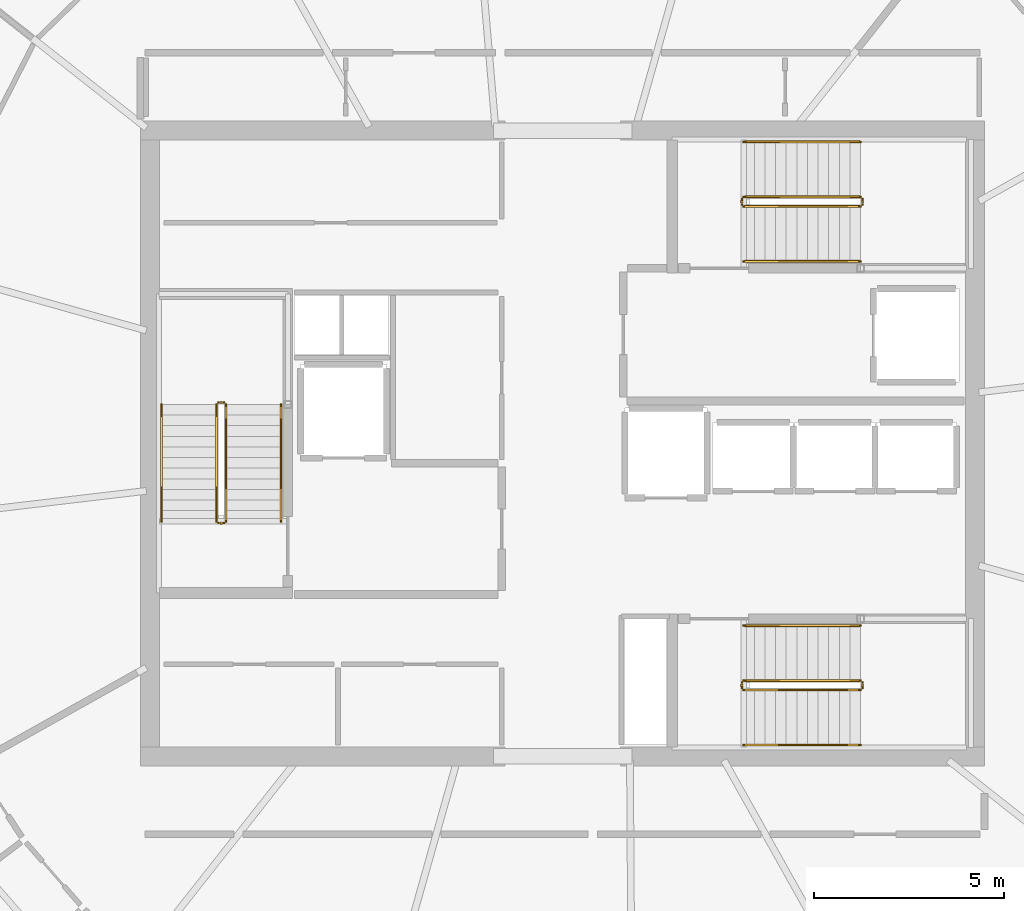
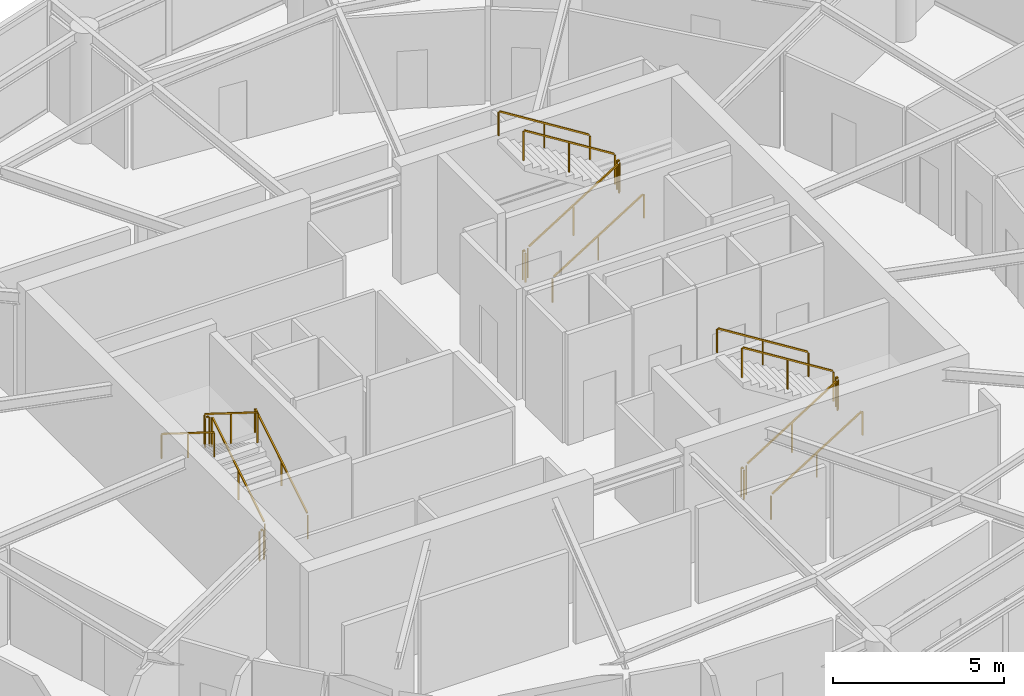
# One storey, part 16 of 16: 18 railings.
"""IFC4 building model written with IfcOpenShell, lengths in metres."""

from ifc_helpers import new_model, si_unit, direction, frame, origin, origin_2d, place, context, subcontext, project, spatial, rectangle, extrude, material, type_object, element, save


model = new_model("IFC4")

# Units and contexts
model_context = context("Model", 3, precision=1e-05, world=origin(), true_north=direction((0.0, 1.0)))
body_context = subcontext(model_context, "Body", "Model", "MODEL_VIEW")
ifc_project = project(units=[si_unit("LENGTHUNIT", "METRE"), si_unit("AREAUNIT", "SQUARE_METRE"), si_unit("VOLUMEUNIT", "CUBIC_METRE"), si_unit("PLANEANGLEUNIT", "RADIAN"), si_unit("MASSUNIT", "GRAM", prefix="KILO")], contexts=[model_context])

# Site, building, storey
site_placement = place(None, origin())
site = spatial("IfcSite", under=ifc_project, at=site_placement, CompositionType="ELEMENT")
building_placement = place(site_placement, origin())
building = spatial("IfcBuilding", under=site, at=building_placement, Name="Kazma Halo Residences", CompositionType="ELEMENT")
storey_placement = place(building_placement, frame((0.0, 0.0, 313.699951171875)))
storey = spatial("IfcBuildingStorey", under=building, at=storey_placement, Name="L79", CompositionType="ELEMENT", Elevation=313.699951171875)

# Railings
ifc_material_1 = material(Name="Painted Steel S355", Category="steel")
railing_type_1 = type_object("IfcRailingType", Name="RLG-STAIR-GRD-1100", PredefinedType="GUARDRAIL", material=ifc_material_1)
railing_1_placement = place(storey_placement, frame((39.550048828125, 39.949951171875, 0.175048828125)))
element("IfcRailing", 1, at=railing_1_placement, inside=storey, type_object=railing_type_1, Name="L79 ST-01 stair guard 1", PredefinedType="GUARDRAIL", context=body_context, shape_type="SweptSolid", body=[
    extrude(rectangle(XDim=0.050048828125, YDim=0.050048828125, at=origin_2d()), frame((0.0, 0.0361328125, 1.09765625), z_axis=(0.0, 0.847998304005, 0.529998940003), x_axis=(-1.0, 0.0, 0.0)), (0.0, 0.0, 1.0), 3.547119140625),
    extrude(rectangle(XDim=0.0400390625, YDim=0.0400390625, at=origin_2d()), origin(), (0.0, 0.0, 1.0), 1.0380859375),
    extrude(rectangle(XDim=0.0400390625, YDim=0.0400390625, at=origin_2d()), frame((0.0, 1.5400390625, 0.96240234375)), (0.0, 0.0, 1.0), 1.0380859375),
    extrude(rectangle(XDim=0.0400390625, YDim=0.0400390625, at=origin_2d()), frame((0.0, 3.080078125, 1.925048828125)), (0.0, 0.0, 1.0), 1.0380859375),
])
railing_2_placement = place(storey_placement, frame((39.5, 43.080078125, 2.10009765625)))
element("IfcRailing", 2, at=railing_2_placement, inside=storey, type_object=railing_type_1, Name="L79 ST-01 stair guard 2", PredefinedType="GUARDRAIL", context=body_context, shape_type="SweptSolid", body=[
    extrude(rectangle(XDim=0.050048828125, YDim=0.050048828125, at=origin_2d()), frame((-0.04248046875, 0.0, 1.0751953125), z_axis=(-1.0, 0.0, 0.0), x_axis=(0.0, -1.0, 0.0)), (0.0, 0.0, 1.0), 0.06494140625),
    extrude(rectangle(XDim=0.0400390625, YDim=0.0400390625, at=origin_2d()), origin(), (0.0, 0.0, 1.0), 1.0380859375),
    extrude(rectangle(XDim=0.0400390625, YDim=0.0400390625, at=origin_2d()), frame((-0.14990234375, 0.0, 0.0)), (0.0, 0.0, 1.0), 1.0380859375),
])
railing_3_placement = place(storey_placement, frame((39.300048828125, 43.030029296875, 2.275146484375)))
element("IfcRailing", 3, at=railing_3_placement, inside=storey, type_object=railing_type_1, Name="L79 ST-01 stair guard 3", PredefinedType="GUARDRAIL", context=body_context, shape_type="SweptSolid", body=[
    extrude(rectangle(XDim=0.050048828125, YDim=0.050048828125, at=origin_2d()), frame((0.0, -0.0361328125, 1.09765625), z_axis=(0.0, -0.848028513186, 0.529950602248), x_axis=(1.0, 0.0, 0.0)), (0.0, 0.0, 1.0), 3.546875),
    extrude(rectangle(XDim=0.0400390625, YDim=0.0400390625, at=origin_2d()), origin(), (0.0, 0.0, 1.0), 1.0380859375),
    extrude(rectangle(XDim=0.0400390625, YDim=0.0400390625, at=origin_2d()), frame((0.0, -1.5400390625, 0.96240234375)), (0.0, 0.0, 1.0), 1.0380859375),
    extrude(rectangle(XDim=0.0400390625, YDim=0.0400390625, at=origin_2d()), frame((0.0, -3.080078125, 1.9248046875)), (0.0, 0.0, 1.0), 1.0380859375),
])
railing_4_placement = place(storey_placement, frame((39.5, 39.89990234375, 0.0)))
element("IfcRailing", 4, at=railing_4_placement, inside=storey, type_object=railing_type_1, Name="L79 ST-01 stair guard 4", PredefinedType="GUARDRAIL", context=body_context, shape_type="SweptSolid", body=[
    extrude(rectangle(XDim=0.050048828125, YDim=0.050048828125, at=origin_2d()), frame((-0.04248046875, 0.0, 1.0751953125), z_axis=(-1.0, 0.0, 0.0), x_axis=(0.0, -1.0, 0.0)), (0.0, 0.0, 1.0), 0.06494140625),
    extrude(rectangle(XDim=0.0400390625, YDim=0.0400390625, at=origin_2d()), origin(), (0.0, 0.0, 1.0), 1.0380859375),
    extrude(rectangle(XDim=0.0400390625, YDim=0.0400390625, at=origin_2d()), frame((-0.14990234375, 0.0, 0.0)), (0.0, 0.0, 1.0), 1.0380859375),
])
railing_5_placement = place(storey_placement, frame((53.199951171875, 48.25, 0.175048828125)))
element("IfcRailing", 5, at=railing_5_placement, inside=storey, type_object=railing_type_1, Name="L79 ST-02 stair guard 1", PredefinedType="GUARDRAIL", context=body_context, shape_type="SweptSolid", body=[
    extrude(rectangle(XDim=0.050048828125, YDim=0.050048828125, at=origin_2d()), frame((0.0361328125, 0.0, 1.09765625), z_axis=(0.847998304005, 0.0, 0.529998940003), x_axis=(0.0, 1.0, 0.0)), (0.0, 0.0, 1.0), 3.547119140625),
    extrude(rectangle(XDim=0.0400390625, YDim=0.0400390625, at=origin_2d()), origin(), (0.0, 0.0, 1.0), 1.0380859375),
    extrude(rectangle(XDim=0.0400390625, YDim=0.0400390625, at=origin_2d()), frame((1.5400390625, 0.0, 0.96240234375)), (0.0, 0.0, 1.0), 1.0380859375),
    extrude(rectangle(XDim=0.0400390625, YDim=0.0400390625, at=origin_2d()), frame((3.080078125, 0.0, 1.925048828125)), (0.0, 0.0, 1.0), 1.0380859375),
])
railing_6_placement = place(storey_placement, frame((56.330078125, 48.300048828125, 2.10009765625)))
element("IfcRailing", 6, at=railing_6_placement, inside=storey, type_object=railing_type_1, Name="L79 ST-02 stair guard 2", PredefinedType="GUARDRAIL", context=body_context, shape_type="SweptSolid", body=[
    extrude(rectangle(XDim=0.050048828125, YDim=0.050048828125, at=origin_2d()), frame((0.0, 0.04248046875, 1.0751953125), z_axis=(0.0, 1.0, 0.0), x_axis=(-1.0, 0.0, 0.0)), (0.0, 0.0, 1.0), 0.06494140625),
    extrude(rectangle(XDim=0.0400390625, YDim=0.0400390625, at=origin_2d()), origin(), (0.0, 0.0, 1.0), 1.0380859375),
    extrude(rectangle(XDim=0.0400390625, YDim=0.0400390625, at=origin_2d()), frame((0.0, 0.14990234375, 0.0)), (0.0, 0.0, 1.0), 1.0380859375),
])
railing_7_placement = place(storey_placement, frame((56.280029296875, 48.5, 2.275146484375)))
element("IfcRailing", 7, at=railing_7_placement, inside=storey, type_object=railing_type_1, Name="L79 ST-02 stair guard 3", PredefinedType="GUARDRAIL", context=body_context, shape_type="SweptSolid", body=[
    extrude(rectangle(XDim=0.050048828125, YDim=0.050048828125, at=origin_2d()), frame((-0.0361328125, 0.0, 1.09765625), z_axis=(-0.848028513186, 0.0, 0.529950602248), x_axis=(0.0, -1.0, 0.0)), (0.0, 0.0, 1.0), 3.546875),
    extrude(rectangle(XDim=0.0400390625, YDim=0.0400390625, at=origin_2d()), origin(), (0.0, 0.0, 1.0), 1.0380859375),
    extrude(rectangle(XDim=0.0400390625, YDim=0.0400390625, at=origin_2d()), frame((-1.5400390625, 0.0, 0.96240234375)), (0.0, 0.0, 1.0), 1.0380859375),
    extrude(rectangle(XDim=0.0400390625, YDim=0.0400390625, at=origin_2d()), frame((-3.080078125, 0.0, 1.9248046875)), (0.0, 0.0, 1.0), 1.0380859375),
])
railing_8_placement = place(storey_placement, frame((53.14990234375, 48.300048828125, 0.0)))
element("IfcRailing", 8, at=railing_8_placement, inside=storey, type_object=railing_type_1, Name="L79 ST-02 stair guard 4", PredefinedType="GUARDRAIL", context=body_context, shape_type="SweptSolid", body=[
    extrude(rectangle(XDim=0.050048828125, YDim=0.050048828125, at=origin_2d()), frame((0.0, 0.04248046875, 1.0751953125), z_axis=(0.0, 1.0, 0.0), x_axis=(-1.0, 0.0, 0.0)), (0.0, 0.0, 1.0), 0.06494140625),
    extrude(rectangle(XDim=0.0400390625, YDim=0.0400390625, at=origin_2d()), origin(), (0.0, 0.0, 1.0), 1.0380859375),
    extrude(rectangle(XDim=0.0400390625, YDim=0.0400390625, at=origin_2d()), frame((0.0, 0.14990234375, 0.0)), (0.0, 0.0, 1.0), 1.0380859375),
])
railing_9_placement = place(storey_placement, frame((53.199951171875, 35.5, 0.175048828125)))
element("IfcRailing", 9, at=railing_9_placement, inside=storey, type_object=railing_type_1, Name="L79 ST-03 stair guard 1", PredefinedType="GUARDRAIL", context=body_context, shape_type="SweptSolid", body=[
    extrude(rectangle(XDim=0.050048828125, YDim=0.050048828125, at=origin_2d()), frame((0.0361328125, 0.0, 1.09765625), z_axis=(0.847998304005, 0.0, 0.529998940003), x_axis=(0.0, 1.0, 0.0)), (0.0, 0.0, 1.0), 3.547119140625),
    extrude(rectangle(XDim=0.0400390625, YDim=0.0400390625, at=origin_2d()), origin(), (0.0, 0.0, 1.0), 1.0380859375),
    extrude(rectangle(XDim=0.0400390625, YDim=0.0400390625, at=origin_2d()), frame((1.5400390625, 0.0, 0.96240234375)), (0.0, 0.0, 1.0), 1.0380859375),
    extrude(rectangle(XDim=0.0400390625, YDim=0.0400390625, at=origin_2d()), frame((3.080078125, 0.0, 1.925048828125)), (0.0, 0.0, 1.0), 1.0380859375),
])
railing_10_placement = place(storey_placement, frame((56.330078125, 35.550048828125, 2.10009765625)))
element("IfcRailing", 10, at=railing_10_placement, inside=storey, type_object=railing_type_1, Name="L79 ST-03 stair guard 2", PredefinedType="GUARDRAIL", context=body_context, shape_type="SweptSolid", body=[
    extrude(rectangle(XDim=0.050048828125, YDim=0.050048828125, at=origin_2d()), frame((0.0, 0.04248046875, 1.0751953125), z_axis=(0.0, 1.0, 0.0), x_axis=(-1.0, 0.0, 0.0)), (0.0, 0.0, 1.0), 0.06494140625),
    extrude(rectangle(XDim=0.0400390625, YDim=0.0400390625, at=origin_2d()), origin(), (0.0, 0.0, 1.0), 1.0380859375),
    extrude(rectangle(XDim=0.0400390625, YDim=0.0400390625, at=origin_2d()), frame((0.0, 0.14990234375, 0.0)), (0.0, 0.0, 1.0), 1.0380859375),
])
railing_11_placement = place(storey_placement, frame((56.280029296875, 35.75, 2.275146484375)))
element("IfcRailing", 11, at=railing_11_placement, inside=storey, type_object=railing_type_1, Name="L79 ST-03 stair guard 3", PredefinedType="GUARDRAIL", context=body_context, shape_type="SweptSolid", body=[
    extrude(rectangle(XDim=0.050048828125, YDim=0.050048828125, at=origin_2d()), frame((-0.0361328125, 0.0, 1.09765625), z_axis=(-0.848028513186, 0.0, 0.529950602248), x_axis=(0.0, -1.0, 0.0)), (0.0, 0.0, 1.0), 3.546875),
    extrude(rectangle(XDim=0.0400390625, YDim=0.0400390625, at=origin_2d()), origin(), (0.0, 0.0, 1.0), 1.0380859375),
    extrude(rectangle(XDim=0.0400390625, YDim=0.0400390625, at=origin_2d()), frame((-1.5400390625, 0.0, 0.96240234375)), (0.0, 0.0, 1.0), 1.0380859375),
    extrude(rectangle(XDim=0.0400390625, YDim=0.0400390625, at=origin_2d()), frame((-3.080078125, 0.0, 1.9248046875)), (0.0, 0.0, 1.0), 1.0380859375),
])
railing_12_placement = place(storey_placement, frame((53.14990234375, 35.550048828125, 0.0)))
element("IfcRailing", 12, at=railing_12_placement, inside=storey, type_object=railing_type_1, Name="L79 ST-03 stair guard 4", PredefinedType="GUARDRAIL", context=body_context, shape_type="SweptSolid", body=[
    extrude(rectangle(XDim=0.050048828125, YDim=0.050048828125, at=origin_2d()), frame((0.0, 0.04248046875, 1.0751953125), z_axis=(0.0, 1.0, 0.0), x_axis=(-1.0, 0.0, 0.0)), (0.0, 0.0, 1.0), 0.06494140625),
    extrude(rectangle(XDim=0.0400390625, YDim=0.0400390625, at=origin_2d()), origin(), (0.0, 0.0, 1.0), 1.0380859375),
    extrude(rectangle(XDim=0.0400390625, YDim=0.0400390625, at=origin_2d()), frame((0.0, 0.14990234375, 0.0)), (0.0, 0.0, 1.0), 1.0380859375),
])
ifc_material_2 = material(Name="Brushed Stainless Steel", Category="steel")
railing_type_2 = type_object("IfcRailingType", Name="RLG-STAIR-HND-900", PredefinedType="HANDRAIL", material=ifc_material_2)
railing_13_placement = place(storey_placement, frame((41.0, 39.949951171875, 0.175048828125)))
element("IfcRailing", 13, at=railing_13_placement, inside=storey, type_object=railing_type_2, Name="L79 ST-01 stair handrail 1", PredefinedType="HANDRAIL", context=body_context, shape_type="SweptSolid", body=[
    extrude(rectangle(XDim=0.050048828125, YDim=0.050048828125, at=origin_2d()), frame((0.0, 0.0361328125, 0.8974609375), z_axis=(0.0, 0.847998304005, 0.529998940003), x_axis=(-1.0, 0.0, 0.0)), (0.0, 0.0, 1.0), 3.547119140625),
    extrude(rectangle(XDim=0.0400390625, YDim=0.0400390625, at=origin_2d()), origin(), (0.0, 0.0, 1.0), 0.837890625),
    extrude(rectangle(XDim=0.0400390625, YDim=0.0400390625, at=origin_2d()), frame((0.0, 1.5400390625, 0.96240234375)), (0.0, 0.0, 1.0), 0.837890625),
    extrude(rectangle(XDim=0.0400390625, YDim=0.0400390625, at=origin_2d()), frame((0.0, 3.080078125, 1.925048828125)), (0.0, 0.0, 1.0), 0.837890625),
])
railing_14_placement = place(storey_placement, frame((37.85009765625, 43.030029296875, 2.275146484375)))
element("IfcRailing", 14, at=railing_14_placement, inside=storey, type_object=railing_type_2, Name="L79 ST-01 stair handrail 2", PredefinedType="HANDRAIL", context=body_context, shape_type="SweptSolid", body=[
    extrude(rectangle(XDim=0.050048828125, YDim=0.050048828125, at=origin_2d()), frame((0.0, -0.0361328125, 0.8974609375), z_axis=(0.0, -0.848028513186, 0.529950602248), x_axis=(1.0, 0.0, 0.0)), (0.0, 0.0, 1.0), 3.546875),
    extrude(rectangle(XDim=0.0400390625, YDim=0.0400390625, at=origin_2d()), origin(), (0.0, 0.0, 1.0), 0.837890625),
    extrude(rectangle(XDim=0.0400390625, YDim=0.0400390625, at=origin_2d()), frame((0.0, -1.5400390625, 0.96240234375)), (0.0, 0.0, 1.0), 0.837890625),
    extrude(rectangle(XDim=0.0400390625, YDim=0.0400390625, at=origin_2d()), frame((0.0, -3.080078125, 1.9248046875)), (0.0, 0.0, 1.0), 0.837890625),
])
railing_15_placement = place(storey_placement, frame((53.199951171875, 46.800048828125, 0.175048828125)))
element("IfcRailing", 15, at=railing_15_placement, inside=storey, type_object=railing_type_2, Name="L79 ST-02 stair handrail 1", PredefinedType="HANDRAIL", context=body_context, shape_type="SweptSolid", body=[
    extrude(rectangle(XDim=0.050048828125, YDim=0.050048828125, at=origin_2d()), frame((0.0361328125, 0.0, 0.8974609375), z_axis=(0.847998304005, 0.0, 0.529998940003), x_axis=(0.0, 1.0, 0.0)), (0.0, 0.0, 1.0), 3.547119140625),
    extrude(rectangle(XDim=0.0400390625, YDim=0.0400390625, at=origin_2d()), origin(), (0.0, 0.0, 1.0), 0.837890625),
    extrude(rectangle(XDim=0.0400390625, YDim=0.0400390625, at=origin_2d()), frame((1.5400390625, 0.0, 0.96240234375)), (0.0, 0.0, 1.0), 0.837890625),
    extrude(rectangle(XDim=0.0400390625, YDim=0.0400390625, at=origin_2d()), frame((3.080078125, 0.0, 1.925048828125)), (0.0, 0.0, 1.0), 0.837890625),
])
railing_16_placement = place(storey_placement, frame((56.280029296875, 49.949951171875, 2.275146484375)))
element("IfcRailing", 16, at=railing_16_placement, inside=storey, type_object=railing_type_2, Name="L79 ST-02 stair handrail 2", PredefinedType="HANDRAIL", context=body_context, shape_type="SweptSolid", body=[
    extrude(rectangle(XDim=0.050048828125, YDim=0.050048828125, at=origin_2d()), frame((-0.0361328125, 0.0, 0.8974609375), z_axis=(-0.848028513186, 0.0, 0.529950602248), x_axis=(0.0, -1.0, 0.0)), (0.0, 0.0, 1.0), 3.546875),
    extrude(rectangle(XDim=0.0400390625, YDim=0.0400390625, at=origin_2d()), origin(), (0.0, 0.0, 1.0), 0.837890625),
    extrude(rectangle(XDim=0.0400390625, YDim=0.0400390625, at=origin_2d()), frame((-1.5400390625, 0.0, 0.96240234375)), (0.0, 0.0, 1.0), 0.837890625),
    extrude(rectangle(XDim=0.0400390625, YDim=0.0400390625, at=origin_2d()), frame((-3.080078125, 0.0, 1.9248046875)), (0.0, 0.0, 1.0), 0.837890625),
])
railing_17_placement = place(storey_placement, frame((53.199951171875, 34.050048828125, 0.175048828125)))
element("IfcRailing", 17, at=railing_17_placement, inside=storey, type_object=railing_type_2, Name="L79 ST-03 stair handrail 1", PredefinedType="HANDRAIL", context=body_context, shape_type="SweptSolid", body=[
    extrude(rectangle(XDim=0.050048828125, YDim=0.050048828125, at=origin_2d()), frame((0.0361328125, 0.0, 0.8974609375), z_axis=(0.847998304005, 0.0, 0.529998940003), x_axis=(0.0, 1.0, 0.0)), (0.0, 0.0, 1.0), 3.547119140625),
    extrude(rectangle(XDim=0.0400390625, YDim=0.0400390625, at=origin_2d()), origin(), (0.0, 0.0, 1.0), 0.837890625),
    extrude(rectangle(XDim=0.0400390625, YDim=0.0400390625, at=origin_2d()), frame((1.5400390625, 0.0, 0.96240234375)), (0.0, 0.0, 1.0), 0.837890625),
    extrude(rectangle(XDim=0.0400390625, YDim=0.0400390625, at=origin_2d()), frame((3.080078125, 0.0, 1.925048828125)), (0.0, 0.0, 1.0), 0.837890625),
])
railing_18_placement = place(storey_placement, frame((56.280029296875, 37.199951171875, 2.275146484375)))
element("IfcRailing", 18, at=railing_18_placement, inside=storey, type_object=railing_type_2, Name="L79 ST-03 stair handrail 2", PredefinedType="HANDRAIL", context=body_context, shape_type="SweptSolid", body=[
    extrude(rectangle(XDim=0.050048828125, YDim=0.050048828125, at=origin_2d()), frame((-0.0361328125, 0.0, 0.8974609375), z_axis=(-0.848028513186, 0.0, 0.529950602248), x_axis=(0.0, -1.0, 0.0)), (0.0, 0.0, 1.0), 3.546875),
    extrude(rectangle(XDim=0.0400390625, YDim=0.0400390625, at=origin_2d()), origin(), (0.0, 0.0, 1.0), 0.837890625),
    extrude(rectangle(XDim=0.0400390625, YDim=0.0400390625, at=origin_2d()), frame((-1.5400390625, 0.0, 0.96240234375)), (0.0, 0.0, 1.0), 0.837890625),
    extrude(rectangle(XDim=0.0400390625, YDim=0.0400390625, at=origin_2d()), frame((-3.080078125, 0.0, 1.9248046875)), (0.0, 0.0, 1.0), 0.837890625),
])

save(model, "model.ifc")
